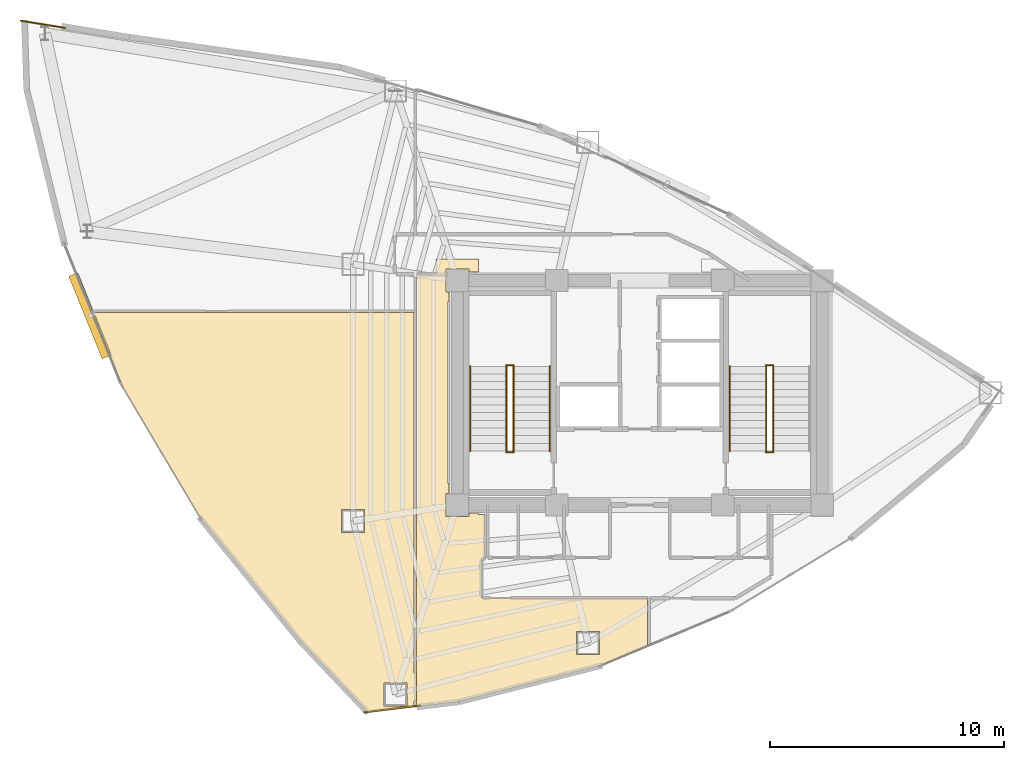
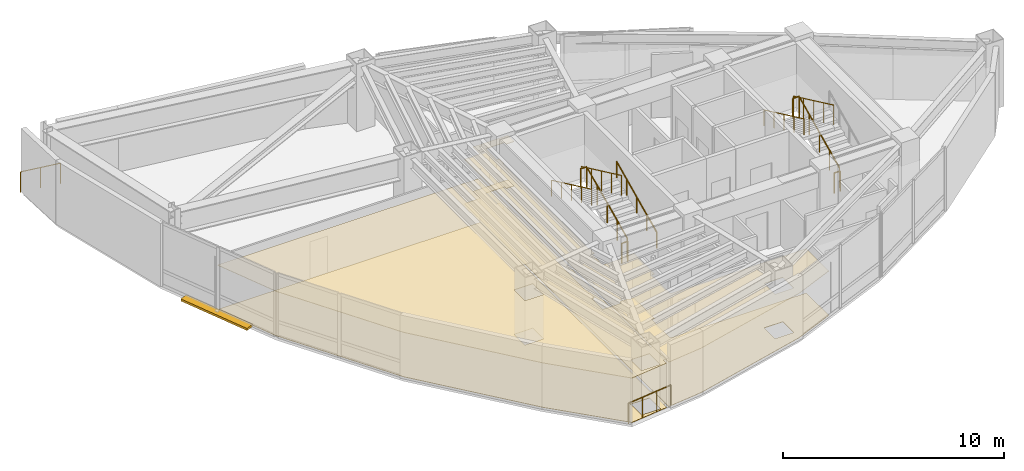
# One storey, part 15 of 16: 13 railings, 4 coverings, 1 shading device.
"""IFC4 building model written with IfcOpenShell, lengths in metres."""

from ifc_helpers import new_model, si_unit, direction, frame, origin, origin_2d, place, context, subcontext, project, spatial, polyline, rectangle, circle, outline, extrude, material, layer, layer_set, type_object, element, save


model = new_model("IFC4")

# Units and contexts
model_context = context("Model", 3, precision=1e-05, world=origin(), true_north=direction((0.0, 1.0)))
body_context = subcontext(model_context, "Body", "Model", "MODEL_VIEW")
ifc_project = project(units=[si_unit("LENGTHUNIT", "METRE"), si_unit("AREAUNIT", "SQUARE_METRE"), si_unit("VOLUMEUNIT", "CUBIC_METRE"), si_unit("PLANEANGLEUNIT", "RADIAN"), si_unit("MASSUNIT", "GRAM", prefix="KILO")], contexts=[model_context])

# Site, building, storey
site_placement = place(None, origin())
site = spatial("IfcSite", under=ifc_project, at=site_placement, CompositionType="ELEMENT")
building_placement = place(site_placement, origin())
building = spatial("IfcBuilding", under=site, at=building_placement, Name="Menara Vayukalpa", CompositionType="ELEMENT")
storey_placement = place(building_placement, frame((0.0, 0.0, 198.9599609375)))
storey = spatial("IfcBuildingStorey", under=building, at=storey_placement, Name="L50", CompositionType="ELEMENT", Elevation=198.9599609375)

# Coverings
ifc_material_1 = material(Name="Mineral Fibre Acoustic Ceiling Tile", Category="masonry")
ifc_layer_1 = layer(ifc_material_1, 0.02490234375)
ifc_layer_set_1 = layer_set([ifc_layer_1], Name="Mineral Fibre Acoustic Ceiling Tile")
covering_type_1 = type_object("IfcCoveringType", Name="COV-CLG1", PredefinedType="CEILING", material=ifc_layer_set_1)
covering_1_placement = place(storey_placement, frame((0.0, 0.0, 2.449951171875)))
element("IfcCovering", 1, at=covering_1_placement, inside=storey, type_object=covering_type_1, Name="L50 Corporate Training Classroom Acoustic Ceiling", PredefinedType="CEILING", context=body_context, shape_type="SweptSolid", body=[
    extrude(outline(polyline([(16.064697265625, 8.839599609375), (15.93994140625, 8.82421875), (15.93994140625, 8.56103515625), (15.93994140625, 8.56005859375), (15.939697265625, 8.55908203125), (15.939697265625, 8.55810546875), (15.939208984375, 8.557373046875), (15.93896484375, 8.556396484375), (15.9384765625, 8.5556640625), (15.937744140625, 8.5546875), (15.937255859375, 8.55419921875), (15.9365234375, 8.553466796875), (15.935791015625, 8.552978515625), (15.934814453125, 8.552490234375), (15.93408203125, 8.552001953125), (15.93310546875, 8.551513671875), (15.93212890625, 8.55126953125), (15.93115234375, 8.55126953125), (13.990966796875, 8.314208984375), (13.989990234375, 8.31396484375), (13.989013671875, 8.31396484375), (13.988037109375, 8.314208984375), (13.9873046875, 8.314208984375), (13.986328125, 8.314697265625), (13.985595703125, 8.31494140625), (13.984619140625, 8.3154296875), (13.98388671875, 8.31591796875), (13.983154296875, 8.31640625), (13.982421875, 8.317138671875), (11.09619140625, 11.36376953125), (11.095703125, 11.364501953125), (6.8427734375, 16.604736328125), (6.842041015625, 16.60595703125), (3.474365234375, 22.284423828125), (3.47412109375, 22.28515625), (3.4736328125, 22.28564453125), (2.207275390625, 25.40576171875), (2.20703125, 25.40673828125), (2.206787109375, 25.40771484375), (2.20654296875, 25.40869140625), (2.20654296875, 25.40966796875), (2.206787109375, 25.410400390625), (2.206787109375, 25.41162109375), (2.20703125, 25.412353515625), (2.20751953125, 25.413330078125), (2.207763671875, 25.414306640625), (2.208251953125, 25.4150390625), (2.208984375, 25.416015625), (2.20947265625, 25.41650390625), (2.210205078125, 25.417236328125), (2.211181640625, 25.417724609375), (2.2119140625, 25.418212890625), (2.212890625, 25.418701171875), (2.213623046875, 25.419189453125), (2.214599609375, 25.419189453125), (2.215576171875, 25.41943359375), (2.216552734375, 25.41943359375), (15.929931640625, 25.41943359375), (15.930908203125, 25.41943359375), (15.931884765625, 25.419189453125), (15.932861328125, 25.419189453125), (15.933837890625, 25.418701171875), (15.934814453125, 25.418212890625), (15.935546875, 25.417724609375), (15.936279296875, 25.417236328125), (15.93701171875, 25.41650390625), (15.937744140625, 25.415771484375), (15.938232421875, 25.4150390625), (15.938720703125, 25.414306640625), (15.939208984375, 25.413330078125), (15.939697265625, 25.412353515625), (15.939697265625, 25.41162109375), (15.93994140625, 25.410400390625), (15.93994140625, 25.409423828125), (15.93994140625, 10.00732421875), (16.064697265625, 10.00732421875), (16.064697265625, 8.839599609375)]), holes=[polyline([(15.644775390625, 9.58740234375), (14.664794921875, 9.58740234375), (14.664794921875, 8.607421875), (15.644775390625, 8.607421875), (15.644775390625, 9.58740234375)]), polyline([(13.833984375, 17.000732421875), (12.85400390625, 17.000732421875), (12.85400390625, 16.020751953125), (13.833984375, 16.020751953125), (13.833984375, 17.000732421875)])]), origin(), (0.0, 0.0, 1.0), 0.025146484375),
])
covering_2_placement = place(storey_placement, frame((0.0, 0.0, 2.449951171875)))
element("IfcCovering", 2, at=covering_2_placement, inside=storey, type_object=covering_type_1, Name="L50 Corporate Training Classroom Acoustic Ceiling", PredefinedType="CEILING", context=body_context, shape_type="SweptSolid", body=[
    extrude(outline(polyline([(17.449951171875, 17.68994140625), (17.31005859375, 17.68994140625), (17.31005859375, 16.7099609375), (18.2900390625, 16.7099609375), (18.2900390625, 16.85009765625), (18.7099609375, 16.85009765625), (18.7099609375, 16.7900390625), (18.97998046875, 16.7900390625), (18.98095703125, 16.7900390625), (18.98193359375, 16.789794921875), (18.98291015625, 16.78955078125), (18.98388671875, 16.789306640625), (18.984619140625, 16.788818359375), (18.985595703125, 16.788330078125), (18.986328125, 16.78759765625), (18.987060546875, 16.787109375), (18.98779296875, 16.786376953125), (18.98828125, 16.78564453125), (18.98876953125, 16.78466796875), (18.9892578125, 16.78369140625), (18.989501953125, 16.782958984375), (18.98974609375, 16.781982421875), (18.989990234375, 16.781005859375), (18.989990234375, 16.780029296875), (18.989990234375, 14.929931640625), (18.989990234375, 14.928955078125), (18.98974609375, 14.927978515625), (18.989501953125, 14.927001953125), (18.9892578125, 14.92626953125), (18.98876953125, 14.92529296875), (18.98828125, 14.92431640625), (18.98779296875, 14.923583984375), (18.987060546875, 14.9228515625), (18.986328125, 14.92236328125), (18.985595703125, 14.921630859375), (18.984619140625, 14.921142578125), (18.98388671875, 14.9208984375), (18.98291015625, 14.92041015625), (18.98193359375, 14.920166015625), (18.98095703125, 14.919921875), (18.97998046875, 14.919921875), (18.900390625, 14.919921875), (18.893310546875, 14.919677734375), (18.88623046875, 14.918701171875), (18.879638671875, 14.9169921875), (18.873291015625, 14.914794921875), (18.866943359375, 14.911865234375), (18.861083984375, 14.908203125), (18.85546875, 14.904052734375), (18.8505859375, 14.8994140625), (18.845947265625, 14.89453125), (18.841796875, 14.888916015625), (18.838134765625, 14.883056640625), (18.835205078125, 14.876708984375), (18.8330078125, 14.870361328125), (18.831298828125, 14.86376953125), (18.830322265625, 14.856689453125), (18.830078125, 14.849609375), (18.830078125, 13.290283203125), (18.830322265625, 13.283203125), (18.831298828125, 13.2763671875), (18.8330078125, 13.269775390625), (18.835205078125, 13.26318359375), (18.838134765625, 13.257080078125), (18.841796875, 13.251220703125), (18.845947265625, 13.24560546875), (18.8505859375, 13.240478515625), (18.85546875, 13.236083984375), (18.861083984375, 13.231689453125), (18.866943359375, 13.228271484375), (18.873291015625, 13.225341796875), (18.879638671875, 13.222900390625), (18.88623046875, 13.22119140625), (18.893310546875, 13.220458984375), (18.900390625, 13.219970703125), (25.929931640625, 13.219970703125), (25.930908203125, 13.219970703125), (25.931884765625, 13.2197265625), (25.932861328125, 13.219482421875), (25.933837890625, 13.21923828125), (25.934814453125, 13.21875), (25.935546875, 13.21826171875), (25.936279296875, 13.2177734375), (25.93701171875, 13.217041015625), (25.937744140625, 13.21630859375), (25.938232421875, 13.215576171875), (25.938720703125, 13.214599609375), (25.939208984375, 13.2138671875), (25.939697265625, 13.212890625), (25.939697265625, 13.2119140625), (25.93994140625, 13.2109375), (25.93994140625, 13.2099609375), (25.93994140625, 11.18701171875), (25.93994140625, 11.18603515625), (25.939697265625, 11.18505859375), (25.939697265625, 11.18408203125), (25.939208984375, 11.18310546875), (25.938720703125, 11.182373046875), (25.938232421875, 11.181396484375), (25.937744140625, 11.1806640625), (25.93701171875, 11.179931640625), (25.936279296875, 11.17919921875), (25.935546875, 11.1787109375), (25.934814453125, 11.17822265625), (25.933837890625, 11.177734375), (23.885986328125, 10.3212890625), (23.884765625, 10.32080078125), (17.880615234375, 8.789306640625), (17.879150390625, 8.789306640625), (16.0712890625, 8.568359375), (16.0703125, 8.568115234375), (16.069091796875, 8.568115234375), (16.068115234375, 8.568359375), (16.0673828125, 8.568603515625), (16.06640625, 8.56884765625), (16.0654296875, 8.5693359375), (16.064697265625, 8.56982421875), (16.063720703125, 8.5703125), (16.06298828125, 8.571044921875), (16.062255859375, 8.57177734375), (16.061767578125, 8.572509765625), (16.061279296875, 8.573486328125), (16.060791015625, 8.57421875), (16.060302734375, 8.5751953125), (16.060302734375, 8.576171875), (16.06005859375, 8.5771484375), (16.06005859375, 8.578125), (16.06005859375, 27.06005859375), (16.06005859375, 27.06103515625), (16.060302734375, 27.06201171875), (16.060302734375, 27.06298828125), (16.060791015625, 27.063720703125), (16.061279296875, 27.064697265625), (16.061767578125, 27.065673828125), (16.062255859375, 27.06640625), (16.06298828125, 27.067138671875), (16.063720703125, 27.067626953125), (16.064453125, 27.068359375), (16.065185546875, 27.06884765625), (16.066162109375, 27.069091796875), (16.067138671875, 27.069580078125), (16.068115234375, 27.06982421875), (16.069091796875, 27.070068359375), (16.070068359375, 27.070068359375), (16.889892578125, 27.070068359375), (16.889892578125, 27.7099609375), (18.7099609375, 27.7099609375), (18.7099609375, 27.14990234375), (18.2900390625, 27.14990234375), (18.2900390625, 27.2900390625), (17.31005859375, 27.2900390625), (17.31005859375, 26.31005859375), (17.449951171875, 26.31005859375), (17.449951171875, 25.889892578125), (17.389892578125, 25.889892578125), (17.389892578125, 18.110107421875), (17.449951171875, 18.110107421875), (17.449951171875, 17.68994140625)]), holes=[polyline([(23.87939453125, 11.781494140625), (22.8994140625, 11.781494140625), (22.8994140625, 10.801513671875), (23.87939453125, 10.801513671875), (23.87939453125, 11.781494140625)])]), origin(), (0.0, 0.0, 1.0), 0.025146484375),
])
ifc_material_2 = material(Name="Porcelain Stoneware Floor Tile", Category="masonry")
ifc_layer_2 = layer(ifc_material_2, 0.02001953125)
ifc_layer_set_2 = layer_set([ifc_layer_2], Name="Porcelain Stoneware Floor Tile")
covering_type_2 = type_object("IfcCoveringType", Name="COV-FLR1", PredefinedType="FLOORING", material=ifc_layer_set_2)
covering_3_placement = place(storey_placement, origin())
element("IfcCovering", 3, at=covering_3_placement, inside=storey, type_object=covering_type_2, Name="L50 Corporate Training Classroom Porcelain Flooring", PredefinedType="FLOORING", context=body_context, shape_type="SweptSolid", body=[
    extrude(outline(polyline([(16.064697265625, 8.839599609375), (15.93994140625, 8.82421875), (15.93994140625, 8.56103515625), (15.93994140625, 8.56005859375), (15.939697265625, 8.55908203125), (15.939697265625, 8.55810546875), (15.939208984375, 8.557373046875), (15.93896484375, 8.556396484375), (15.9384765625, 8.5556640625), (15.937744140625, 8.5546875), (15.937255859375, 8.55419921875), (15.9365234375, 8.553466796875), (15.935791015625, 8.552978515625), (15.934814453125, 8.552490234375), (15.93408203125, 8.552001953125), (15.93310546875, 8.551513671875), (15.93212890625, 8.55126953125), (15.93115234375, 8.55126953125), (13.990966796875, 8.314208984375), (13.989990234375, 8.31396484375), (13.989013671875, 8.31396484375), (13.988037109375, 8.314208984375), (13.9873046875, 8.314208984375), (13.986328125, 8.314697265625), (13.985595703125, 8.31494140625), (13.984619140625, 8.3154296875), (13.98388671875, 8.31591796875), (13.983154296875, 8.31640625), (13.982421875, 8.317138671875), (11.09619140625, 11.36376953125), (11.095703125, 11.364501953125), (6.8427734375, 16.604736328125), (6.842041015625, 16.60595703125), (3.474365234375, 22.284423828125), (3.47412109375, 22.28515625), (3.4736328125, 22.28564453125), (2.207275390625, 25.40576171875), (2.20703125, 25.40673828125), (2.206787109375, 25.40771484375), (2.20654296875, 25.40869140625), (2.20654296875, 25.40966796875), (2.206787109375, 25.410400390625), (2.206787109375, 25.41162109375), (2.20703125, 25.412353515625), (2.20751953125, 25.413330078125), (2.207763671875, 25.414306640625), (2.208251953125, 25.4150390625), (2.208984375, 25.416015625), (2.20947265625, 25.41650390625), (2.210205078125, 25.417236328125), (2.211181640625, 25.417724609375), (2.2119140625, 25.418212890625), (2.212890625, 25.418701171875), (2.213623046875, 25.419189453125), (2.214599609375, 25.419189453125), (2.215576171875, 25.41943359375), (2.216552734375, 25.41943359375), (15.929931640625, 25.41943359375), (15.930908203125, 25.41943359375), (15.931884765625, 25.419189453125), (15.932861328125, 25.419189453125), (15.933837890625, 25.418701171875), (15.934814453125, 25.418212890625), (15.935546875, 25.417724609375), (15.936279296875, 25.417236328125), (15.93701171875, 25.41650390625), (15.937744140625, 25.415771484375), (15.938232421875, 25.4150390625), (15.938720703125, 25.414306640625), (15.939208984375, 25.413330078125), (15.939697265625, 25.412353515625), (15.939697265625, 25.41162109375), (15.93994140625, 25.410400390625), (15.93994140625, 25.409423828125), (15.93994140625, 10.00732421875), (16.064697265625, 10.00732421875), (16.064697265625, 8.839599609375)]), holes=[polyline([(15.644775390625, 9.58740234375), (14.664794921875, 9.58740234375), (14.664794921875, 8.607421875), (15.644775390625, 8.607421875), (15.644775390625, 9.58740234375)]), polyline([(13.833984375, 17.000732421875), (12.85400390625, 17.000732421875), (12.85400390625, 16.020751953125), (13.833984375, 16.020751953125), (13.833984375, 17.000732421875)])]), origin(), (0.0, 0.0, 1.0), 0.02001953125),
])
covering_4_placement = place(storey_placement, origin())
element("IfcCovering", 4, at=covering_4_placement, inside=storey, type_object=covering_type_2, Name="L50 Corporate Training Classroom Porcelain Flooring", PredefinedType="FLOORING", context=body_context, shape_type="SweptSolid", body=[
    extrude(outline(polyline([(17.449951171875, 17.68994140625), (17.31005859375, 17.68994140625), (17.31005859375, 16.7099609375), (18.2900390625, 16.7099609375), (18.2900390625, 16.85009765625), (18.7099609375, 16.85009765625), (18.7099609375, 16.7900390625), (18.97998046875, 16.7900390625), (18.98095703125, 16.7900390625), (18.98193359375, 16.789794921875), (18.98291015625, 16.78955078125), (18.98388671875, 16.789306640625), (18.984619140625, 16.788818359375), (18.985595703125, 16.788330078125), (18.986328125, 16.78759765625), (18.987060546875, 16.787109375), (18.98779296875, 16.786376953125), (18.98828125, 16.78564453125), (18.98876953125, 16.78466796875), (18.9892578125, 16.78369140625), (18.989501953125, 16.782958984375), (18.98974609375, 16.781982421875), (18.989990234375, 16.781005859375), (18.989990234375, 16.780029296875), (18.989990234375, 14.929931640625), (18.989990234375, 14.928955078125), (18.98974609375, 14.927978515625), (18.989501953125, 14.927001953125), (18.9892578125, 14.92626953125), (18.98876953125, 14.92529296875), (18.98828125, 14.92431640625), (18.98779296875, 14.923583984375), (18.987060546875, 14.9228515625), (18.986328125, 14.92236328125), (18.985595703125, 14.921630859375), (18.984619140625, 14.921142578125), (18.98388671875, 14.9208984375), (18.98291015625, 14.92041015625), (18.98193359375, 14.920166015625), (18.98095703125, 14.919921875), (18.97998046875, 14.919921875), (18.900390625, 14.919921875), (18.893310546875, 14.919677734375), (18.88623046875, 14.918701171875), (18.879638671875, 14.9169921875), (18.873291015625, 14.914794921875), (18.866943359375, 14.911865234375), (18.861083984375, 14.908203125), (18.85546875, 14.904052734375), (18.8505859375, 14.8994140625), (18.845947265625, 14.89453125), (18.841796875, 14.888916015625), (18.838134765625, 14.883056640625), (18.835205078125, 14.876708984375), (18.8330078125, 14.870361328125), (18.831298828125, 14.86376953125), (18.830322265625, 14.856689453125), (18.830078125, 14.849609375), (18.830078125, 13.290283203125), (18.830322265625, 13.283203125), (18.831298828125, 13.2763671875), (18.8330078125, 13.269775390625), (18.835205078125, 13.26318359375), (18.838134765625, 13.257080078125), (18.841796875, 13.251220703125), (18.845947265625, 13.24560546875), (18.8505859375, 13.240478515625), (18.85546875, 13.236083984375), (18.861083984375, 13.231689453125), (18.866943359375, 13.228271484375), (18.873291015625, 13.225341796875), (18.879638671875, 13.222900390625), (18.88623046875, 13.22119140625), (18.893310546875, 13.220458984375), (18.900390625, 13.219970703125), (25.929931640625, 13.219970703125), (25.930908203125, 13.219970703125), (25.931884765625, 13.2197265625), (25.932861328125, 13.219482421875), (25.933837890625, 13.21923828125), (25.934814453125, 13.21875), (25.935546875, 13.21826171875), (25.936279296875, 13.2177734375), (25.93701171875, 13.217041015625), (25.937744140625, 13.21630859375), (25.938232421875, 13.215576171875), (25.938720703125, 13.214599609375), (25.939208984375, 13.2138671875), (25.939697265625, 13.212890625), (25.939697265625, 13.2119140625), (25.93994140625, 13.2109375), (25.93994140625, 13.2099609375), (25.93994140625, 11.18701171875), (25.93994140625, 11.18603515625), (25.939697265625, 11.18505859375), (25.939697265625, 11.18408203125), (25.939208984375, 11.18310546875), (25.938720703125, 11.182373046875), (25.938232421875, 11.181396484375), (25.937744140625, 11.1806640625), (25.93701171875, 11.179931640625), (25.936279296875, 11.17919921875), (25.935546875, 11.1787109375), (25.934814453125, 11.17822265625), (25.933837890625, 11.177734375), (23.885986328125, 10.3212890625), (23.884765625, 10.32080078125), (17.880615234375, 8.789306640625), (17.879150390625, 8.789306640625), (16.0712890625, 8.568359375), (16.0703125, 8.568115234375), (16.069091796875, 8.568115234375), (16.068115234375, 8.568359375), (16.0673828125, 8.568603515625), (16.06640625, 8.56884765625), (16.0654296875, 8.5693359375), (16.064697265625, 8.56982421875), (16.063720703125, 8.5703125), (16.06298828125, 8.571044921875), (16.062255859375, 8.57177734375), (16.061767578125, 8.572509765625), (16.061279296875, 8.573486328125), (16.060791015625, 8.57421875), (16.060302734375, 8.5751953125), (16.060302734375, 8.576171875), (16.06005859375, 8.5771484375), (16.06005859375, 8.578125), (16.06005859375, 27.06005859375), (16.06005859375, 27.06103515625), (16.060302734375, 27.06201171875), (16.060302734375, 27.06298828125), (16.060791015625, 27.063720703125), (16.061279296875, 27.064697265625), (16.061767578125, 27.065673828125), (16.062255859375, 27.06640625), (16.06298828125, 27.067138671875), (16.063720703125, 27.067626953125), (16.064453125, 27.068359375), (16.065185546875, 27.06884765625), (16.066162109375, 27.069091796875), (16.067138671875, 27.069580078125), (16.068115234375, 27.06982421875), (16.069091796875, 27.070068359375), (16.070068359375, 27.070068359375), (16.889892578125, 27.070068359375), (16.889892578125, 27.7099609375), (18.7099609375, 27.7099609375), (18.7099609375, 27.14990234375), (18.2900390625, 27.14990234375), (18.2900390625, 27.2900390625), (17.31005859375, 27.2900390625), (17.31005859375, 26.31005859375), (17.449951171875, 26.31005859375), (17.449951171875, 25.889892578125), (17.389892578125, 25.889892578125), (17.389892578125, 18.110107421875), (17.449951171875, 18.110107421875), (17.449951171875, 17.68994140625)]), holes=[polyline([(23.87939453125, 11.781494140625), (22.8994140625, 11.781494140625), (22.8994140625, 10.801513671875), (23.87939453125, 10.801513671875), (23.87939453125, 11.781494140625)])]), origin(), (0.0, 0.0, 1.0), 0.02001953125),
])

# Railings
ifc_material_3 = material(Name="Laminated Glass and Stainless Steel 316 Guardrail", Category="steel")
railing_type_1 = type_object("IfcRailingType", Name="RLG-EXT115", PredefinedType="GUARDRAIL", material=ifc_material_3)
railing_1_placement = place(storey_placement, frame((1.029296875, 37.597412109375, 0.0)))
element("IfcRailing", 5, at=railing_1_placement, inside=storey, type_object=railing_type_1, Name="L50 Column Corner Spandrel Guardrail 07-1", PredefinedType="GUARDRAIL", context=body_context, shape_type="SweptSolid", body=[
    extrude(circle(Radius=0.02392578125, at=origin_2d()), frame((0.0, 0.0, 1.1259765625), z_axis=(-0.987131356628, 0.159911490402, 0.0), x_axis=(-0.159911490402, -0.987131356628, 0.0)), (0.0, 0.0, 1.0), 1.932861328125),
    extrude(circle(Radius=0.02099609375, at=origin_2d()), origin(), (0.0, 0.0, 1.0), 1.101806640625),
    extrude(circle(Radius=0.02099609375, at=origin_2d()), frame((-0.9541015625, 0.154541015625, 0.0)), (0.0, 0.0, 1.0), 1.101806640625),
    extrude(circle(Radius=0.02099609375, at=origin_2d()), frame((-1.907958984375, 0.30908203125, 0.0)), (0.0, 0.0, 1.0), 1.101806640625),
])
railing_2_placement = place(storey_placement, frame((13.817138671875, 8.3330078125, 0.0)))
element("IfcRailing", 6, at=railing_2_placement, inside=storey, type_object=railing_type_1, Name="L50 Column Corner Spandrel Guardrail 14-1", PredefinedType="GUARDRAIL", context=body_context, shape_type="SweptSolid", body=[
    extrude(circle(Radius=0.02392578125, at=origin_2d()), frame((0.0, 0.0, 1.1259765625), z_axis=(0.992605536887, 0.121384711313, 0.0), x_axis=(-0.121384711313, 0.992605536887, 0.0)), (0.0, 0.0, 1.0), 2.41552734375),
    extrude(circle(Radius=0.02099609375, at=origin_2d()), origin(), (0.0, 0.0, 1.0), 1.101806640625),
    extrude(circle(Radius=0.02099609375, at=origin_2d()), frame((0.79931640625, 0.09765625, 0.0)), (0.0, 0.0, 1.0), 1.101806640625),
    extrude(circle(Radius=0.02099609375, at=origin_2d()), frame((1.598388671875, 0.195556640625, 0.0)), (0.0, 0.0, 1.0), 1.101806640625),
    extrude(circle(Radius=0.02099609375, at=origin_2d()), frame((2.397705078125, 0.293212890625, 0.0)), (0.0, 0.0, 1.0), 1.101806640625),
])
ifc_material_4 = material(Name="Powder-Coated Galvanised Steel Guardrail", Category="steel")
railing_type_2 = type_object("IfcRailingType", Name="RLG-STG110", PredefinedType="GUARDRAIL", material=ifc_material_4)
railing_3_placement = place(storey_placement, frame((20.199951171875, 19.5, 0.155029296875)))
element("IfcRailing", 7, at=railing_3_placement, inside=storey, type_object=railing_type_2, Name="L50 ST-1 stair guard 1", PredefinedType="GUARDRAIL", context=body_context, shape_type="SweptSolid", body=[
    extrude(circle(Radius=0.02392578125, at=origin_2d()), frame((0.0, 0.0, 1.09619140625), z_axis=(0.0, 0.90511648382, 0.425163675209), x_axis=(-1.0, 0.0, 0.0)), (0.0, 0.0, 1.0), 4.010498046875),
    extrude(circle(Radius=0.02099609375, at=origin_2d()), origin(), (0.0, 0.0, 1.0), 1.072021484375),
    extrude(circle(Radius=0.02099609375, at=origin_2d()), frame((0.0, 0.907470703125, 0.42626953125)), (0.0, 0.0, 1.0), 1.072021484375),
    extrude(circle(Radius=0.02099609375, at=origin_2d()), frame((0.0, 1.81494140625, 0.8525390625)), (0.0, 0.0, 1.0), 1.072021484375),
    extrude(circle(Radius=0.02099609375, at=origin_2d()), frame((0.0, 2.722412109375, 1.27880859375)), (0.0, 0.0, 1.0), 1.072021484375),
    extrude(circle(Radius=0.02099609375, at=origin_2d()), frame((0.0, 3.6298828125, 1.705078125)), (0.0, 0.0, 1.0), 1.072021484375),
])
railing_4_placement = place(storey_placement, frame((20.2099609375, 23.179931640625, 1.860107421875)))
element("IfcRailing", 8, at=railing_4_placement, inside=storey, type_object=railing_type_2, Name="L50 ST-1 stair guard 2", PredefinedType="GUARDRAIL", context=body_context, shape_type="SweptSolid", body=[
    extrude(circle(Radius=0.02392578125, at=origin_2d()), frame((0.0, 0.0, 1.09619140625), z_axis=(-1.0, 0.0, 0.0), x_axis=(0.0, -1.0, 0.0)), (0.0, 0.0, 1.0), 0.320068359375),
    extrude(circle(Radius=0.02099609375, at=origin_2d()), origin(), (0.0, 0.0, 1.0), 1.072021484375),
    extrude(circle(Radius=0.02099609375, at=origin_2d()), frame((-0.320068359375, 0.0, 0.0)), (0.0, 0.0, 1.0), 1.072021484375),
])
railing_5_placement = place(storey_placement, frame((19.89990234375, 23.1298828125, 2.01513671875)))
element("IfcRailing", 9, at=railing_5_placement, inside=storey, type_object=railing_type_2, Name="L50 ST-1 stair guard 3", PredefinedType="GUARDRAIL", context=body_context, shape_type="SweptSolid", body=[
    extrude(circle(Radius=0.02392578125, at=origin_2d()), frame((0.0, 0.0, 1.09619140625), z_axis=(0.0, -0.90513990983, 0.425113800803), x_axis=(1.0, 0.0, 0.0)), (0.0, 0.0, 1.0), 4.01025390625),
    extrude(circle(Radius=0.02099609375, at=origin_2d()), origin(), (0.0, 0.0, 1.0), 1.072021484375),
    extrude(circle(Radius=0.02099609375, at=origin_2d()), frame((0.0, -0.907470703125, 0.42626953125)), (0.0, 0.0, 1.0), 1.072021484375),
    extrude(circle(Radius=0.02099609375, at=origin_2d()), frame((0.0, -1.81494140625, 0.8525390625)), (0.0, 0.0, 1.0), 1.072021484375),
    extrude(circle(Radius=0.02099609375, at=origin_2d()), frame((0.0, -2.722412109375, 1.278564453125)), (0.0, 0.0, 1.0), 1.072021484375),
    extrude(circle(Radius=0.02099609375, at=origin_2d()), frame((0.0, -3.6298828125, 1.704833984375)), (0.0, 0.0, 1.0), 1.072021484375),
])
railing_6_placement = place(storey_placement, frame((20.2099609375, 19.449951171875, 0.0)))
element("IfcRailing", 10, at=railing_6_placement, inside=storey, type_object=railing_type_2, Name="L50 ST-1 stair guard 4", PredefinedType="GUARDRAIL", context=body_context, shape_type="SweptSolid", body=[
    extrude(circle(Radius=0.02392578125, at=origin_2d()), frame((0.0, 0.0, 1.09619140625), z_axis=(-1.0, 0.0, 0.0), x_axis=(0.0, -1.0, 0.0)), (0.0, 0.0, 1.0), 0.320068359375),
    extrude(circle(Radius=0.02099609375, at=origin_2d()), origin(), (0.0, 0.0, 1.0), 1.072021484375),
    extrude(circle(Radius=0.02099609375, at=origin_2d()), frame((-0.320068359375, 0.0, 0.0)), (0.0, 0.0, 1.0), 1.072021484375),
])
railing_7_placement = place(storey_placement, frame((31.300048828125, 19.5, 0.155029296875)))
element("IfcRailing", 11, at=railing_7_placement, inside=storey, type_object=railing_type_2, Name="L50 ST-2 stair guard 1", PredefinedType="GUARDRAIL", context=body_context, shape_type="SweptSolid", body=[
    extrude(circle(Radius=0.02392578125, at=origin_2d()), frame((0.0, 0.0, 1.09619140625), z_axis=(0.0, 0.90511648382, 0.425163675209), x_axis=(-1.0, 0.0, 0.0)), (0.0, 0.0, 1.0), 4.010498046875),
    extrude(circle(Radius=0.02099609375, at=origin_2d()), origin(), (0.0, 0.0, 1.0), 1.072021484375),
    extrude(circle(Radius=0.02099609375, at=origin_2d()), frame((0.0, 0.907470703125, 0.42626953125)), (0.0, 0.0, 1.0), 1.072021484375),
    extrude(circle(Radius=0.02099609375, at=origin_2d()), frame((0.0, 1.81494140625, 0.8525390625)), (0.0, 0.0, 1.0), 1.072021484375),
    extrude(circle(Radius=0.02099609375, at=origin_2d()), frame((0.0, 2.722412109375, 1.27880859375)), (0.0, 0.0, 1.0), 1.072021484375),
    extrude(circle(Radius=0.02099609375, at=origin_2d()), frame((0.0, 3.6298828125, 1.705078125)), (0.0, 0.0, 1.0), 1.072021484375),
])
railing_8_placement = place(storey_placement, frame((31.31005859375, 23.179931640625, 1.860107421875)))
element("IfcRailing", 12, at=railing_8_placement, inside=storey, type_object=railing_type_2, Name="L50 ST-2 stair guard 2", PredefinedType="GUARDRAIL", context=body_context, shape_type="SweptSolid", body=[
    extrude(circle(Radius=0.02392578125, at=origin_2d()), frame((0.0, 0.0, 1.09619140625), z_axis=(-1.0, 0.0, 0.0), x_axis=(0.0, -1.0, 0.0)), (0.0, 0.0, 1.0), 0.320068359375),
    extrude(circle(Radius=0.02099609375, at=origin_2d()), origin(), (0.0, 0.0, 1.0), 1.072021484375),
    extrude(circle(Radius=0.02099609375, at=origin_2d()), frame((-0.320068359375, 0.0, 0.0)), (0.0, 0.0, 1.0), 1.072021484375),
])
railing_9_placement = place(storey_placement, frame((31.0, 23.1298828125, 2.01513671875)))
element("IfcRailing", 13, at=railing_9_placement, inside=storey, type_object=railing_type_2, Name="L50 ST-2 stair guard 3", PredefinedType="GUARDRAIL", context=body_context, shape_type="SweptSolid", body=[
    extrude(circle(Radius=0.02392578125, at=origin_2d()), frame((0.0, 0.0, 1.09619140625), z_axis=(0.0, -0.90513990983, 0.425113800803), x_axis=(1.0, 0.0, 0.0)), (0.0, 0.0, 1.0), 4.01025390625),
    extrude(circle(Radius=0.02099609375, at=origin_2d()), origin(), (0.0, 0.0, 1.0), 1.072021484375),
    extrude(circle(Radius=0.02099609375, at=origin_2d()), frame((0.0, -0.907470703125, 0.42626953125)), (0.0, 0.0, 1.0), 1.072021484375),
    extrude(circle(Radius=0.02099609375, at=origin_2d()), frame((0.0, -1.81494140625, 0.8525390625)), (0.0, 0.0, 1.0), 1.072021484375),
    extrude(circle(Radius=0.02099609375, at=origin_2d()), frame((0.0, -2.722412109375, 1.278564453125)), (0.0, 0.0, 1.0), 1.072021484375),
    extrude(circle(Radius=0.02099609375, at=origin_2d()), frame((0.0, -3.6298828125, 1.704833984375)), (0.0, 0.0, 1.0), 1.072021484375),
])
railing_10_placement = place(storey_placement, frame((31.31005859375, 19.449951171875, 0.0)))
element("IfcRailing", 14, at=railing_10_placement, inside=storey, type_object=railing_type_2, Name="L50 ST-2 stair guard 4", PredefinedType="GUARDRAIL", context=body_context, shape_type="SweptSolid", body=[
    extrude(circle(Radius=0.02392578125, at=origin_2d()), frame((0.0, 0.0, 1.09619140625), z_axis=(-1.0, 0.0, 0.0), x_axis=(0.0, -1.0, 0.0)), (0.0, 0.0, 1.0), 0.320068359375),
    extrude(circle(Radius=0.02099609375, at=origin_2d()), origin(), (0.0, 0.0, 1.0), 1.072021484375),
    extrude(circle(Radius=0.02099609375, at=origin_2d()), frame((-0.320068359375, 0.0, 0.0)), (0.0, 0.0, 1.0), 1.072021484375),
])
ifc_material_5 = material(Name="Stainless Steel 316 Tubular Handrail", Category="steel")
railing_type_3 = type_object("IfcRailingType", Name="RLG-STH090", PredefinedType="HANDRAIL", material=ifc_material_5)
railing_11_placement = place(storey_placement, frame((21.75, 19.5, 0.155029296875)))
element("IfcRailing", 15, at=railing_11_placement, inside=storey, type_object=railing_type_3, Name="L50 ST-1 stair handrail 1", PredefinedType="HANDRAIL", context=body_context, shape_type="SweptSolid", body=[
    extrude(circle(Radius=0.02392578125, at=origin_2d()), frame((0.0, 0.0, 0.8759765625), z_axis=(0.0, 0.90511648382, 0.425163675209), x_axis=(-1.0, 0.0, 0.0)), (0.0, 0.0, 1.0), 4.010498046875),
    extrude(circle(Radius=0.02099609375, at=origin_2d()), origin(), (0.0, 0.0, 1.0), 0.851806640625),
    extrude(circle(Radius=0.02099609375, at=origin_2d()), frame((0.0, 0.907470703125, 0.42626953125)), (0.0, 0.0, 1.0), 0.851806640625),
    extrude(circle(Radius=0.02099609375, at=origin_2d()), frame((0.0, 1.81494140625, 0.8525390625)), (0.0, 0.0, 1.0), 0.851806640625),
    extrude(circle(Radius=0.02099609375, at=origin_2d()), frame((0.0, 2.722412109375, 1.27880859375)), (0.0, 0.0, 1.0), 0.851806640625),
    extrude(circle(Radius=0.02099609375, at=origin_2d()), frame((0.0, 3.6298828125, 1.705078125)), (0.0, 0.0, 1.0), 0.851806640625),
])
for number, where, name in (
    (16, (18.35009765625, 23.1298828125, 2.01513671875), "L50 ST-1 stair handrail 2"),
    (17, (29.449951171875, 23.1298828125, 2.01513671875), "L50 ST-2 stair handrail 2"),
):
    element("IfcRailing", number, at=place(storey_placement, frame(where)), inside=storey, type_object=railing_type_3, Name=name, PredefinedType="HANDRAIL", context=body_context, shape_type="SweptSolid", body=[
        extrude(circle(Radius=0.02392578125, at=origin_2d()), frame((0.0, 0.0, 0.8759765625), z_axis=(0.0, -0.90513990983, 0.425113800803), x_axis=(1.0, 0.0, 0.0)), (0.0, 0.0, 1.0), 4.01025390625),
        extrude(circle(Radius=0.02099609375, at=origin_2d()), origin(), (0.0, 0.0, 1.0), 0.851806640625),
        extrude(circle(Radius=0.02099609375, at=origin_2d()), frame((0.0, -0.907470703125, 0.42626953125)), (0.0, 0.0, 1.0), 0.851806640625),
        extrude(circle(Radius=0.02099609375, at=origin_2d()), frame((0.0, -1.81494140625, 0.8525390625)), (0.0, 0.0, 1.0), 0.851806640625),
        extrude(circle(Radius=0.02099609375, at=origin_2d()), frame((0.0, -2.722412109375, 1.278564453125)), (0.0, 0.0, 1.0), 0.851806640625),
        extrude(circle(Radius=0.02099609375, at=origin_2d()), frame((0.0, -3.6298828125, 1.704833984375)), (0.0, 0.0, 1.0), 0.851806640625),
    ])

# Shading device
ifc_material_6 = material(Name="Glazed Terracotta Ceramic Baguette Extrusion", Category="masonry")
ifc_layer_3 = layer(ifc_material_6, 0.1201171875)
ifc_layer_set_3 = layer_set([ifc_layer_3], Name="Glazed Terracotta Ceramic Baguette Extrusion")
shading_device_type = type_object("IfcShadingDeviceType", Name="SHD-SS1", PredefinedType="USERDEFINED", material=ifc_layer_set_3)
shading_device_placement = place(storey_placement, frame((2.09326171875, 25.2880859375, -0.10009765625), z_axis=(0.0, 0.0, 1.0), x_axis=(0.376094891671, -0.926581152657, 0.0)))
element("IfcShadingDevice", 18, at=shading_device_placement, inside=storey, type_object=shading_device_type, Name="L50 Horizontal Terracotta Sunshade Band 13", ObjectType="SUNSHADE", PredefinedType="USERDEFINED", context=body_context, shape_type="SweptSolid", body=[
    extrude(rectangle(XDim=3.800048828125, YDim=0.419921875, at=origin_2d()), origin(), (0.0, 0.0, 1.0), 0.1201171875),
])

save(model, "model.ifc")
